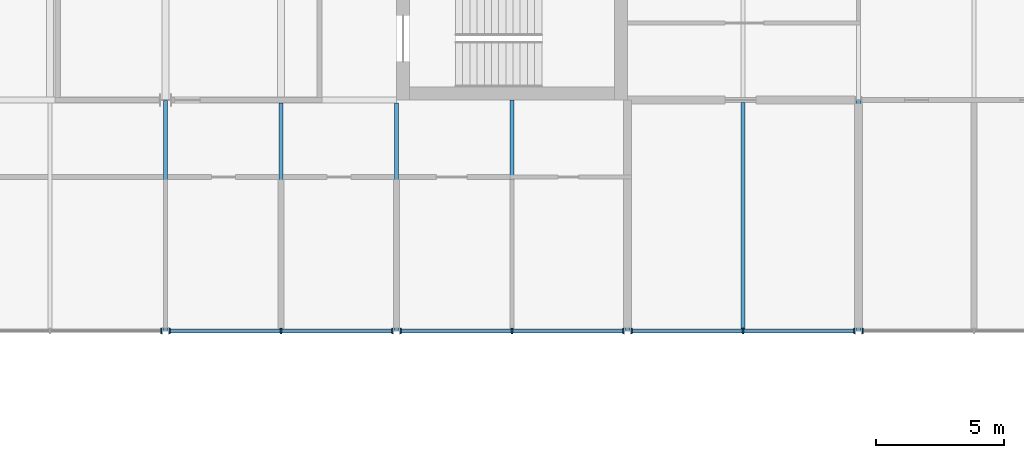
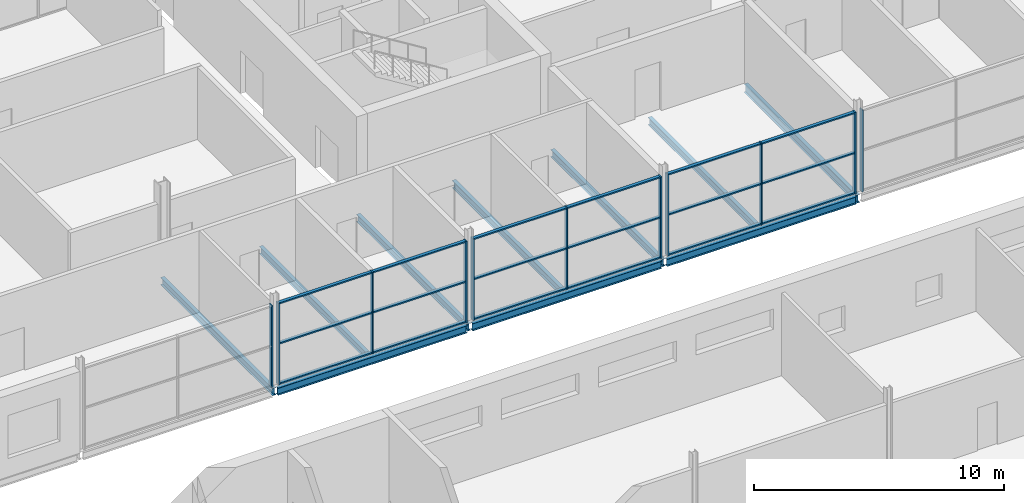
# One storey, part 63 of 138: 29 members, 10 beams, 5 elements without a shape of their own.
"""IFC4 building model written with IfcOpenShell, lengths in metres."""

from ifc_helpers import new_model, si_unit, direction, frame, origin, origin_2d, place, context, subcontext, project, spatial, rectangle, i_section, extrude, material, layer, layer_set, material_profile, profile_set, type_object, element, aggregate, save


model = new_model("IFC4")

# Units and contexts
model_context = context("Model", 3, precision=1e-05, world=origin(), true_north=direction((0.0, 1.0)))
body_context = subcontext(model_context, "Body", "Model", "MODEL_VIEW")
ifc_project = project(units=[si_unit("LENGTHUNIT", "METRE"), si_unit("AREAUNIT", "SQUARE_METRE"), si_unit("VOLUMEUNIT", "CUBIC_METRE"), si_unit("PLANEANGLEUNIT", "RADIAN"), si_unit("MASSUNIT", "GRAM", prefix="KILO")], contexts=[model_context])

# Site, building, storey
site_placement = place(None, origin())
site = spatial("IfcSite", under=ifc_project, at=site_placement, CompositionType="ELEMENT")
building_placement = place(site_placement, origin())
building = spatial("IfcBuilding", under=site, at=building_placement, Name="Corbel Yard City Hall", CompositionType="ELEMENT")
storey_placement = place(building_placement, frame((0.0, 0.0, 10.5)))
storey = spatial("IfcBuildingStorey", under=building, at=storey_placement, Name="L02", CompositionType="ELEMENT", Elevation=10.5)

# Beams
ifc_material_1 = material(Name="Steel Grade 300 (300 MPa yield)", Category="steel")
ifc_material_profile_1 = material_profile(ifc_material_1, i_section(OverallWidth=0.1708984375, OverallDepth=0.35595703125, WebThickness=0.00732421875, FlangeThickness=0.011474609375, at=origin_2d()), Name="360UB50.7")
ifc_profile_set_1 = profile_set([ifc_material_profile_1], Name="Steel Grade 300 (300 MPa yield)")
beam_type_1 = type_object("IfcBeamType", Name="Beam 360UB50.7", PredefinedType="BEAM", material=ifc_profile_set_1)
beam_1_placement = place(storey_placement, frame((45.0, 90.00537109375, -0.327880859375), z_axis=(0.0, 1.0, 0.0), x_axis=(-1.0, 0.0, 0.0)))
element("IfcBeam", 1, at=beam_1_placement, inside=storey, type_object=beam_type_1, Name="Beam 360UB50.7 SB14 L02floor", PredefinedType="BEAM", context=body_context, shape_type="SweptSolid", body=[
    extrude(i_section(OverallWidth=0.1708984375, OverallDepth=0.35595703125, WebThickness=0.00732421875, FlangeThickness=0.011474609375, at=origin_2d()), origin(), (0.0, 0.0, 1.0), 8.86962890625),
])
beam_2_placement = place(storey_placement, frame((54.0, 90.00537109375, -0.327880859375), z_axis=(0.0, 1.0, 0.0), x_axis=(-1.0, 0.0, 0.0)))
element("IfcBeam", 2, at=beam_2_placement, inside=storey, type_object=beam_type_1, Name="Beam 360UB50.7 SB14 L02floor", PredefinedType="BEAM", context=body_context, shape_type="SweptSolid", body=[
    extrude(i_section(OverallWidth=0.1708984375, OverallDepth=0.35595703125, WebThickness=0.00732421875, FlangeThickness=0.011474609375, at=origin_2d()), origin(), (0.0, 0.0, 1.0), 8.89013671875),
])
ifc_material_profile_2 = material_profile(ifc_material_1, i_section(OverallWidth=0.172119140625, OverallDepth=0.35888671875, WebThickness=0.008056640625, FlangeThickness=0.012939453125, at=origin_2d()), Name="360UB56.7")
ifc_profile_set_2 = profile_set([ifc_material_profile_2], Name="Steel Grade 300 (300 MPa yield)")
beam_type_2 = type_object("IfcBeamType", Name="Beam 360UB56.7", PredefinedType="BEAM", material=ifc_profile_set_2)
beam_3_placement = place(storey_placement, frame((36.0, 90.00537109375, -0.32958984375), z_axis=(0.0, 1.0, 0.0), x_axis=(-1.0, 0.0, 0.0)))
element("IfcBeam", 3, at=beam_3_placement, inside=storey, type_object=beam_type_2, Name="Beam 360UB56.7 SB15 L02floor", PredefinedType="BEAM", context=body_context, shape_type="SweptSolid", body=[
    extrude(i_section(OverallWidth=0.172119140625, OverallDepth=0.35888671875, WebThickness=0.008056640625, FlangeThickness=0.012939453125, at=origin_2d()), origin(), (0.0, 0.0, 1.0), 8.974609375),
])
ifc_material_profile_3 = material_profile(ifc_material_1, i_section(OverallWidth=0.177978515625, OverallDepth=0.403076171875, WebThickness=0.007568359375, FlangeThickness=0.010986328125, at=origin_2d()), Name="410UB53.7")
ifc_profile_set_3 = profile_set([ifc_material_profile_3], Name="Steel Grade 300 (300 MPa yield)")
beam_type_3 = type_object("IfcBeamType", Name="Beam 410UB53.7", PredefinedType="BEAM", material=ifc_profile_set_3)
beam_4_placement = place(storey_placement, frame((63.0, 90.00537109375, -0.3515625), z_axis=(0.0, 1.0, 0.0), x_axis=(-1.0, 0.0, 0.0)))
element("IfcBeam", 4, at=beam_4_placement, inside=storey, type_object=beam_type_3, Name="Beam 410UB53.7 SB6 L02floor", PredefinedType="BEAM", context=body_context, shape_type="SweptSolid", body=[
    extrude(i_section(OverallWidth=0.177978515625, OverallDepth=0.403076171875, WebThickness=0.007568359375, FlangeThickness=0.010986328125, at=origin_2d()), origin(), (0.0, 0.0, 1.0), 8.98876953125),
])
ifc_material_profile_4 = material_profile(ifc_material_1, i_section(OverallWidth=0.172119140625, OverallDepth=0.35888671875, WebThickness=0.008056640625, FlangeThickness=0.012939453125, at=origin_2d()), Name="360UB56.7")
ifc_profile_set_4 = profile_set([ifc_material_profile_4], Name="Steel Grade 300 (300 MPa yield)")
beam_type_4 = type_object("IfcBeamType", Name="Edge beam 360UB56.7", PredefinedType="BEAM", material=ifc_profile_set_4)
for number, where, z_axis, x_axis, name in (
    (5, (36.1298828125, 90.0, -0.32958984375), (1.0, 0.0, 0.0), (0.0, 1.0, 0.0), "Edge beam 360UB56.7 EB4 L02floor"),
    (6, (45.1298828125, 90.0, -0.32958984375), (1.0, 0.0, 0.0), (0.0, 1.0, 0.0), "Edge beam 360UB56.7 EB4 L02floor"),
    (7, (54.1298828125, 90.0, -0.32958984375), (1.0, 0.0, 0.0), (0.0, 1.0, 0.0), "Edge beam 360UB56.7 EB4 L02floor"),
):
    element("IfcBeam", number, at=place(storey_placement, frame(where, z_axis=z_axis, x_axis=x_axis)), inside=storey, type_object=beam_type_4, Name=name, PredefinedType="BEAM", context=body_context, shape_type="SweptSolid", body=[
        extrude(i_section(OverallWidth=0.172119140625, OverallDepth=0.35888671875, WebThickness=0.008056640625, FlangeThickness=0.012939453125, at=origin_2d()), origin(), (0.0, 0.0, 1.0), 8.740234375),
    ])

# Curtain wall, member
ifc_material_2 = material(Name="Aluminium extrusion", Category="aluminium")
ifc_layer = layer(ifc_material_2, 0.199951171875)
ifc_layer_set = layer_set([ifc_layer], Name="Aluminium extrusion")
curtain_wall_type = type_object("IfcCurtainWallType", Name="CW1", PredefinedType="USERDEFINED", material=ifc_layer_set)
curtain_wall_1_placement = place(storey_placement, origin())
curtain_wall_1 = element("IfcCurtainWall", 8, at=curtain_wall_1_placement, inside=storey, type_object=curtain_wall_type, Name="Curtain wall CW1 L02", ObjectType="CURTAIN WALL", PredefinedType="USERDEFINED")
ifc_material_profile_5 = material_profile(ifc_material_2, rectangle(XDim=0.199951171875, YDim=0.06494140625, at=origin_2d()), Name="200x65")
ifc_profile_set_5 = profile_set([ifc_material_profile_5], Name="Aluminium extrusion")
member_type_1 = type_object("IfcMemberType", Name="ML1", PredefinedType="MULLION", material=ifc_profile_set_5)
member_1_placement = place(storey_placement, frame((35.840576171875, 90.0, 0.0), z_axis=(0.0, 0.0, 1.0), x_axis=(0.0, 1.0, 0.0)))
member_1 = element("IfcMember", 9, at=member_1_placement, type_object=member_type_1, Name="CW1 mullion 3", PredefinedType="MULLION", context=body_context, shape_type="SweptSolid", body=[
    extrude(rectangle(XDim=0.199951171875, YDim=0.06494140625, at=origin_2d()), origin(), (0.0, 0.0, 1.0), 3.990966796875),
])
aggregate(curtain_wall_1, [member_1])

# Curtain wall, members
curtain_wall_2_placement = place(storey_placement, origin())
curtain_wall_2 = element("IfcCurtainWall", 10, at=curtain_wall_2_placement, inside=storey, type_object=curtain_wall_type, Name="Curtain wall CW1 L02", ObjectType="CURTAIN WALL", PredefinedType="USERDEFINED")
member_2_placement = place(storey_placement, frame((36.159423828125, 90.0, 0.0), z_axis=(0.0, 0.0, 1.0), x_axis=(0.0, 1.0, 0.0)))
member_2 = element("IfcMember", 11, at=member_2_placement, type_object=member_type_1, Name="CW1 mullion 1", PredefinedType="MULLION", context=body_context, shape_type="SweptSolid", body=[
    extrude(rectangle(XDim=0.199951171875, YDim=0.06494140625, at=origin_2d()), origin(), (0.0, 0.0, 1.0), 3.990966796875),
])
member_3_placement = place(storey_placement, frame((40.5, 90.0, 0.0), z_axis=(0.0, 0.0, 1.0), x_axis=(0.0, 1.0, 0.0)))
member_3 = element("IfcMember", 12, at=member_3_placement, type_object=member_type_1, Name="CW1 mullion 2", PredefinedType="MULLION", context=body_context, shape_type="SweptSolid", body=[
    extrude(rectangle(XDim=0.199951171875, YDim=0.06494140625, at=origin_2d()), origin(), (0.0, 0.0, 1.0), 3.990966796875),
])
member_4_placement = place(storey_placement, frame((44.840576171875, 90.0, 0.0), z_axis=(0.0, 0.0, 1.0), x_axis=(0.0, 1.0, 0.0)))
member_4 = element("IfcMember", 13, at=member_4_placement, type_object=member_type_1, Name="CW1 mullion 3", PredefinedType="MULLION", context=body_context, shape_type="SweptSolid", body=[
    extrude(rectangle(XDim=0.199951171875, YDim=0.06494140625, at=origin_2d()), origin(), (0.0, 0.0, 1.0), 3.990966796875),
])

curtain_wall_3_placement = place(storey_placement, origin())
curtain_wall_3 = element("IfcCurtainWall", 14, at=curtain_wall_3_placement, inside=storey, type_object=curtain_wall_type, Name="Curtain wall CW1 L02", ObjectType="CURTAIN WALL", PredefinedType="USERDEFINED")
member_5_placement = place(storey_placement, frame((45.159423828125, 90.0, 0.0), z_axis=(0.0, 0.0, 1.0), x_axis=(0.0, 1.0, 0.0)))
member_5 = element("IfcMember", 15, at=member_5_placement, type_object=member_type_1, Name="CW1 mullion 1", PredefinedType="MULLION", context=body_context, shape_type="SweptSolid", body=[
    extrude(rectangle(XDim=0.199951171875, YDim=0.06494140625, at=origin_2d()), origin(), (0.0, 0.0, 1.0), 3.990966796875),
])
member_6_placement = place(storey_placement, frame((49.5, 90.0, 0.0), z_axis=(0.0, 0.0, 1.0), x_axis=(0.0, 1.0, 0.0)))
member_6 = element("IfcMember", 16, at=member_6_placement, type_object=member_type_1, Name="CW1 mullion 2", PredefinedType="MULLION", context=body_context, shape_type="SweptSolid", body=[
    extrude(rectangle(XDim=0.199951171875, YDim=0.06494140625, at=origin_2d()), origin(), (0.0, 0.0, 1.0), 3.990966796875),
])
member_7_placement = place(storey_placement, frame((53.840576171875, 90.0, 0.0), z_axis=(0.0, 0.0, 1.0), x_axis=(0.0, 1.0, 0.0)))
member_7 = element("IfcMember", 17, at=member_7_placement, type_object=member_type_1, Name="CW1 mullion 3", PredefinedType="MULLION", context=body_context, shape_type="SweptSolid", body=[
    extrude(rectangle(XDim=0.199951171875, YDim=0.06494140625, at=origin_2d()), origin(), (0.0, 0.0, 1.0), 3.990966796875),
])

curtain_wall_4_placement = place(storey_placement, origin())
curtain_wall_4 = element("IfcCurtainWall", 18, at=curtain_wall_4_placement, inside=storey, type_object=curtain_wall_type, Name="Curtain wall CW1 L02", ObjectType="CURTAIN WALL", PredefinedType="USERDEFINED")
member_8_placement = place(storey_placement, frame((54.159423828125, 90.0, 0.0), z_axis=(0.0, 0.0, 1.0), x_axis=(0.0, 1.0, 0.0)))
member_8 = element("IfcMember", 19, at=member_8_placement, type_object=member_type_1, Name="CW1 mullion 1", PredefinedType="MULLION", context=body_context, shape_type="SweptSolid", body=[
    extrude(rectangle(XDim=0.199951171875, YDim=0.06494140625, at=origin_2d()), origin(), (0.0, 0.0, 1.0), 3.990966796875),
])
member_9_placement = place(storey_placement, frame((58.5, 90.0, 0.0), z_axis=(0.0, 0.0, 1.0), x_axis=(0.0, 1.0, 0.0)))
member_9 = element("IfcMember", 20, at=member_9_placement, type_object=member_type_1, Name="CW1 mullion 2", PredefinedType="MULLION", context=body_context, shape_type="SweptSolid", body=[
    extrude(rectangle(XDim=0.199951171875, YDim=0.06494140625, at=origin_2d()), origin(), (0.0, 0.0, 1.0), 3.990966796875),
])
member_10_placement = place(storey_placement, frame((62.840576171875, 90.0, 0.0), z_axis=(0.0, 0.0, 1.0), x_axis=(0.0, 1.0, 0.0)))
member_10 = element("IfcMember", 21, at=member_10_placement, type_object=member_type_1, Name="CW1 mullion 3", PredefinedType="MULLION", context=body_context, shape_type="SweptSolid", body=[
    extrude(rectangle(XDim=0.199951171875, YDim=0.06494140625, at=origin_2d()), origin(), (0.0, 0.0, 1.0), 3.990966796875),
])

# Curtain wall, member
curtain_wall_5_placement = place(storey_placement, origin())
curtain_wall_5 = element("IfcCurtainWall", 22, at=curtain_wall_5_placement, inside=storey, type_object=curtain_wall_type, Name="Curtain wall CW1 L02", ObjectType="CURTAIN WALL", PredefinedType="USERDEFINED")
member_11_placement = place(storey_placement, frame((63.159423828125, 90.0, 0.0), z_axis=(0.0, 0.0, 1.0), x_axis=(0.0, 1.0, 0.0)))
member_11 = element("IfcMember", 23, at=member_11_placement, type_object=member_type_1, Name="CW1 mullion 1", PredefinedType="MULLION", context=body_context, shape_type="SweptSolid", body=[
    extrude(rectangle(XDim=0.199951171875, YDim=0.06494140625, at=origin_2d()), origin(), (0.0, 0.0, 1.0), 3.990966796875),
])
aggregate(curtain_wall_5, [member_11])

# Beams
ifc_material_profile_6 = material_profile(ifc_material_1, i_section(OverallWidth=0.1708984375, OverallDepth=0.35205078125, WebThickness=0.0068359375, FlangeThickness=0.009765625, at=origin_2d()), Name="360UB44.7")
ifc_profile_set_6 = profile_set([ifc_material_profile_6], Name="Steel Grade 300 (300 MPa yield)")
beam_type_5 = type_object("IfcBeamType", Name="Secondary beam 360UB44.7", PredefinedType="JOIST", material=ifc_profile_set_6)
beam_5_placement = place(storey_placement, frame((40.5, 90.0859375, -0.325927734375), z_axis=(0.0, 1.0, 0.0), x_axis=(-1.0, 0.0, 0.0)))
element("IfcBeam", 24, at=beam_5_placement, inside=storey, type_object=beam_type_5, Name="Secondary beam 360UB44.7 SB11 L02floor", PredefinedType="JOIST", context=body_context, shape_type="SweptSolid", body=[
    extrude(i_section(OverallWidth=0.1708984375, OverallDepth=0.35205078125, WebThickness=0.0068359375, FlangeThickness=0.009765625, at=origin_2d()), origin(), (0.0, 0.0, 1.0), 8.7890625),
])
ifc_material_profile_7 = material_profile(ifc_material_1, i_section(OverallWidth=0.1708984375, OverallDepth=0.35595703125, WebThickness=0.00732421875, FlangeThickness=0.011474609375, at=origin_2d()), Name="360UB50.7")
ifc_profile_set_7 = profile_set([ifc_material_profile_7], Name="Steel Grade 300 (300 MPa yield)")
beam_type_6 = type_object("IfcBeamType", Name="Secondary beam 360UB50.7", PredefinedType="JOIST", material=ifc_profile_set_7)
beam_6_placement = place(storey_placement, frame((58.5, 90.0859375, -0.327880859375), z_axis=(0.0, 1.0, 0.0), x_axis=(-1.0, 0.0, 0.0)))
element("IfcBeam", 25, at=beam_6_placement, inside=storey, type_object=beam_type_6, Name="Secondary beam 360UB50.7 SB10 L02floor", PredefinedType="JOIST", context=body_context, shape_type="SweptSolid", body=[
    extrude(i_section(OverallWidth=0.1708984375, OverallDepth=0.35595703125, WebThickness=0.00732421875, FlangeThickness=0.011474609375, at=origin_2d()), origin(), (0.0, 0.0, 1.0), 8.8095703125),
])
ifc_material_profile_8 = material_profile(ifc_material_1, i_section(OverallWidth=0.172119140625, OverallDepth=0.35888671875, WebThickness=0.008056640625, FlangeThickness=0.012939453125, at=origin_2d()), Name="360UB56.7")
ifc_profile_set_8 = profile_set([ifc_material_profile_8], Name="Steel Grade 300 (300 MPa yield)")
beam_type_7 = type_object("IfcBeamType", Name="Secondary beam 360UB56.7", PredefinedType="JOIST", material=ifc_profile_set_8)
beam_7_placement = place(storey_placement, frame((49.5, 90.0859375, -0.32958984375), z_axis=(0.0, 1.0, 0.0), x_axis=(-1.0, 0.0, 0.0)))
element("IfcBeam", 26, at=beam_7_placement, inside=storey, type_object=beam_type_7, Name="Secondary beam 360UB56.7 SB12 L02floor", PredefinedType="JOIST", context=body_context, shape_type="SweptSolid", body=[
    extrude(i_section(OverallWidth=0.172119140625, OverallDepth=0.35888671875, WebThickness=0.008056640625, FlangeThickness=0.012939453125, at=origin_2d()), origin(), (0.0, 0.0, 1.0), 8.9140625),
])

# Member
ifc_material_profile_9 = material_profile(ifc_material_2, rectangle(XDim=0.14990234375, YDim=0.06494140625, at=origin_2d()), Name="150x65")
ifc_profile_set_9 = profile_set([ifc_material_profile_9], Name="Aluminium extrusion")
member_type_2 = type_object("IfcMemberType", Name="TR1", PredefinedType="USERDEFINED", material=ifc_profile_set_9)
member_12_placement = place(storey_placement, frame((36.19189453125, 90.0, 0.032470703125), z_axis=(1.0, 0.0, 0.0), x_axis=(0.0, 1.0, 0.0)))
member_12 = element("IfcMember", 27, at=member_12_placement, type_object=member_type_2, Name="CW1 transom 1.1", ObjectType="TRANSOM", PredefinedType="USERDEFINED", context=body_context, shape_type="SweptSolid", body=[
    extrude(rectangle(XDim=0.14990234375, YDim=0.06494140625, at=origin_2d()), origin(), (0.0, 0.0, 1.0), 4.275634765625),
])

member_13_placement = place(storey_placement, frame((36.19189453125, 90.0, 1.99560546875), z_axis=(1.0, 0.0, 0.0), x_axis=(0.0, 1.0, 0.0)))
member_13 = element("IfcMember", 28, at=member_13_placement, type_object=member_type_2, Name="CW1 transom 1.2", ObjectType="TRANSOM", PredefinedType="USERDEFINED", context=body_context, shape_type="SweptSolid", body=[
    extrude(rectangle(XDim=0.14990234375, YDim=0.06494140625, at=origin_2d()), origin(), (0.0, 0.0, 1.0), 4.275634765625),
])

member_14_placement = place(storey_placement, frame((36.19189453125, 90.0, 3.95849609375), z_axis=(1.0, 0.0, 0.0), x_axis=(0.0, 1.0, 0.0)))
member_14 = element("IfcMember", 29, at=member_14_placement, type_object=member_type_2, Name="CW1 transom 1.3", ObjectType="TRANSOM", PredefinedType="USERDEFINED", context=body_context, shape_type="SweptSolid", body=[
    extrude(rectangle(XDim=0.14990234375, YDim=0.06494140625, at=origin_2d()), origin(), (0.0, 0.0, 1.0), 4.275634765625),
])

member_15_placement = place(storey_placement, frame((40.532470703125, 90.0, 0.032470703125), z_axis=(1.0, 0.0, 0.0), x_axis=(0.0, 1.0, 0.0)))
member_15 = element("IfcMember", 30, at=member_15_placement, type_object=member_type_2, Name="CW1 transom 2.1", ObjectType="TRANSOM", PredefinedType="USERDEFINED", context=body_context, shape_type="SweptSolid", body=[
    extrude(rectangle(XDim=0.14990234375, YDim=0.06494140625, at=origin_2d()), origin(), (0.0, 0.0, 1.0), 4.275634765625),
])

member_16_placement = place(storey_placement, frame((40.532470703125, 90.0, 1.99560546875), z_axis=(1.0, 0.0, 0.0), x_axis=(0.0, 1.0, 0.0)))
member_16 = element("IfcMember", 31, at=member_16_placement, type_object=member_type_2, Name="CW1 transom 2.2", ObjectType="TRANSOM", PredefinedType="USERDEFINED", context=body_context, shape_type="SweptSolid", body=[
    extrude(rectangle(XDim=0.14990234375, YDim=0.06494140625, at=origin_2d()), origin(), (0.0, 0.0, 1.0), 4.275634765625),
])

member_17_placement = place(storey_placement, frame((40.532470703125, 90.0, 3.95849609375), z_axis=(1.0, 0.0, 0.0), x_axis=(0.0, 1.0, 0.0)))
member_17 = element("IfcMember", 32, at=member_17_placement, type_object=member_type_2, Name="CW1 transom 2.3", ObjectType="TRANSOM", PredefinedType="USERDEFINED", context=body_context, shape_type="SweptSolid", body=[
    extrude(rectangle(XDim=0.14990234375, YDim=0.06494140625, at=origin_2d()), origin(), (0.0, 0.0, 1.0), 4.275634765625),
])

aggregate(curtain_wall_2, [member_2, member_3, member_4, member_12, member_13, member_14, member_15, member_16, member_17])

member_18_placement = place(storey_placement, frame((45.19189453125, 90.0, 0.032470703125), z_axis=(1.0, 0.0, 0.0), x_axis=(0.0, 1.0, 0.0)))
member_18 = element("IfcMember", 33, at=member_18_placement, type_object=member_type_2, Name="CW1 transom 1.1", ObjectType="TRANSOM", PredefinedType="USERDEFINED", context=body_context, shape_type="SweptSolid", body=[
    extrude(rectangle(XDim=0.14990234375, YDim=0.06494140625, at=origin_2d()), origin(), (0.0, 0.0, 1.0), 4.275634765625),
])

member_19_placement = place(storey_placement, frame((45.19189453125, 90.0, 1.99560546875), z_axis=(1.0, 0.0, 0.0), x_axis=(0.0, 1.0, 0.0)))
member_19 = element("IfcMember", 34, at=member_19_placement, type_object=member_type_2, Name="CW1 transom 1.2", ObjectType="TRANSOM", PredefinedType="USERDEFINED", context=body_context, shape_type="SweptSolid", body=[
    extrude(rectangle(XDim=0.14990234375, YDim=0.06494140625, at=origin_2d()), origin(), (0.0, 0.0, 1.0), 4.275634765625),
])

member_20_placement = place(storey_placement, frame((45.19189453125, 90.0, 3.95849609375), z_axis=(1.0, 0.0, 0.0), x_axis=(0.0, 1.0, 0.0)))
member_20 = element("IfcMember", 35, at=member_20_placement, type_object=member_type_2, Name="CW1 transom 1.3", ObjectType="TRANSOM", PredefinedType="USERDEFINED", context=body_context, shape_type="SweptSolid", body=[
    extrude(rectangle(XDim=0.14990234375, YDim=0.06494140625, at=origin_2d()), origin(), (0.0, 0.0, 1.0), 4.275634765625),
])

member_21_placement = place(storey_placement, frame((49.532470703125, 90.0, 0.032470703125), z_axis=(1.0, 0.0, 0.0), x_axis=(0.0, 1.0, 0.0)))
member_21 = element("IfcMember", 36, at=member_21_placement, type_object=member_type_2, Name="CW1 transom 2.1", ObjectType="TRANSOM", PredefinedType="USERDEFINED", context=body_context, shape_type="SweptSolid", body=[
    extrude(rectangle(XDim=0.14990234375, YDim=0.06494140625, at=origin_2d()), origin(), (0.0, 0.0, 1.0), 4.275634765625),
])

member_22_placement = place(storey_placement, frame((49.532470703125, 90.0, 1.99560546875), z_axis=(1.0, 0.0, 0.0), x_axis=(0.0, 1.0, 0.0)))
member_22 = element("IfcMember", 37, at=member_22_placement, type_object=member_type_2, Name="CW1 transom 2.2", ObjectType="TRANSOM", PredefinedType="USERDEFINED", context=body_context, shape_type="SweptSolid", body=[
    extrude(rectangle(XDim=0.14990234375, YDim=0.06494140625, at=origin_2d()), origin(), (0.0, 0.0, 1.0), 4.275634765625),
])

member_23_placement = place(storey_placement, frame((49.532470703125, 90.0, 3.95849609375), z_axis=(1.0, 0.0, 0.0), x_axis=(0.0, 1.0, 0.0)))
member_23 = element("IfcMember", 38, at=member_23_placement, type_object=member_type_2, Name="CW1 transom 2.3", ObjectType="TRANSOM", PredefinedType="USERDEFINED", context=body_context, shape_type="SweptSolid", body=[
    extrude(rectangle(XDim=0.14990234375, YDim=0.06494140625, at=origin_2d()), origin(), (0.0, 0.0, 1.0), 4.275634765625),
])

aggregate(curtain_wall_3, [member_5, member_6, member_7, member_18, member_19, member_20, member_21, member_22, member_23])

member_24_placement = place(storey_placement, frame((54.19189453125, 90.0, 0.032470703125), z_axis=(1.0, 0.0, 0.0), x_axis=(0.0, 1.0, 0.0)))
member_24 = element("IfcMember", 39, at=member_24_placement, type_object=member_type_2, Name="CW1 transom 1.1", ObjectType="TRANSOM", PredefinedType="USERDEFINED", context=body_context, shape_type="SweptSolid", body=[
    extrude(rectangle(XDim=0.14990234375, YDim=0.06494140625, at=origin_2d()), origin(), (0.0, 0.0, 1.0), 4.275634765625),
])

member_25_placement = place(storey_placement, frame((54.19189453125, 90.0, 1.99560546875), z_axis=(1.0, 0.0, 0.0), x_axis=(0.0, 1.0, 0.0)))
member_25 = element("IfcMember", 40, at=member_25_placement, type_object=member_type_2, Name="CW1 transom 1.2", ObjectType="TRANSOM", PredefinedType="USERDEFINED", context=body_context, shape_type="SweptSolid", body=[
    extrude(rectangle(XDim=0.14990234375, YDim=0.06494140625, at=origin_2d()), origin(), (0.0, 0.0, 1.0), 4.275634765625),
])

member_26_placement = place(storey_placement, frame((54.19189453125, 90.0, 3.95849609375), z_axis=(1.0, 0.0, 0.0), x_axis=(0.0, 1.0, 0.0)))
member_26 = element("IfcMember", 41, at=member_26_placement, type_object=member_type_2, Name="CW1 transom 1.3", ObjectType="TRANSOM", PredefinedType="USERDEFINED", context=body_context, shape_type="SweptSolid", body=[
    extrude(rectangle(XDim=0.14990234375, YDim=0.06494140625, at=origin_2d()), origin(), (0.0, 0.0, 1.0), 4.275634765625),
])

member_27_placement = place(storey_placement, frame((58.532470703125, 90.0, 0.032470703125), z_axis=(1.0, 0.0, 0.0), x_axis=(0.0, 1.0, 0.0)))
member_27 = element("IfcMember", 42, at=member_27_placement, type_object=member_type_2, Name="CW1 transom 2.1", ObjectType="TRANSOM", PredefinedType="USERDEFINED", context=body_context, shape_type="SweptSolid", body=[
    extrude(rectangle(XDim=0.14990234375, YDim=0.06494140625, at=origin_2d()), origin(), (0.0, 0.0, 1.0), 4.275634765625),
])

member_28_placement = place(storey_placement, frame((58.532470703125, 90.0, 1.99560546875), z_axis=(1.0, 0.0, 0.0), x_axis=(0.0, 1.0, 0.0)))
member_28 = element("IfcMember", 43, at=member_28_placement, type_object=member_type_2, Name="CW1 transom 2.2", ObjectType="TRANSOM", PredefinedType="USERDEFINED", context=body_context, shape_type="SweptSolid", body=[
    extrude(rectangle(XDim=0.14990234375, YDim=0.06494140625, at=origin_2d()), origin(), (0.0, 0.0, 1.0), 4.275634765625),
])

member_29_placement = place(storey_placement, frame((58.532470703125, 90.0, 3.95849609375), z_axis=(1.0, 0.0, 0.0), x_axis=(0.0, 1.0, 0.0)))
member_29 = element("IfcMember", 44, at=member_29_placement, type_object=member_type_2, Name="CW1 transom 2.3", ObjectType="TRANSOM", PredefinedType="USERDEFINED", context=body_context, shape_type="SweptSolid", body=[
    extrude(rectangle(XDim=0.14990234375, YDim=0.06494140625, at=origin_2d()), origin(), (0.0, 0.0, 1.0), 4.275634765625),
])

aggregate(curtain_wall_4, [member_8, member_9, member_10, member_24, member_25, member_26, member_27, member_28, member_29])

save(model, "model.ifc")
